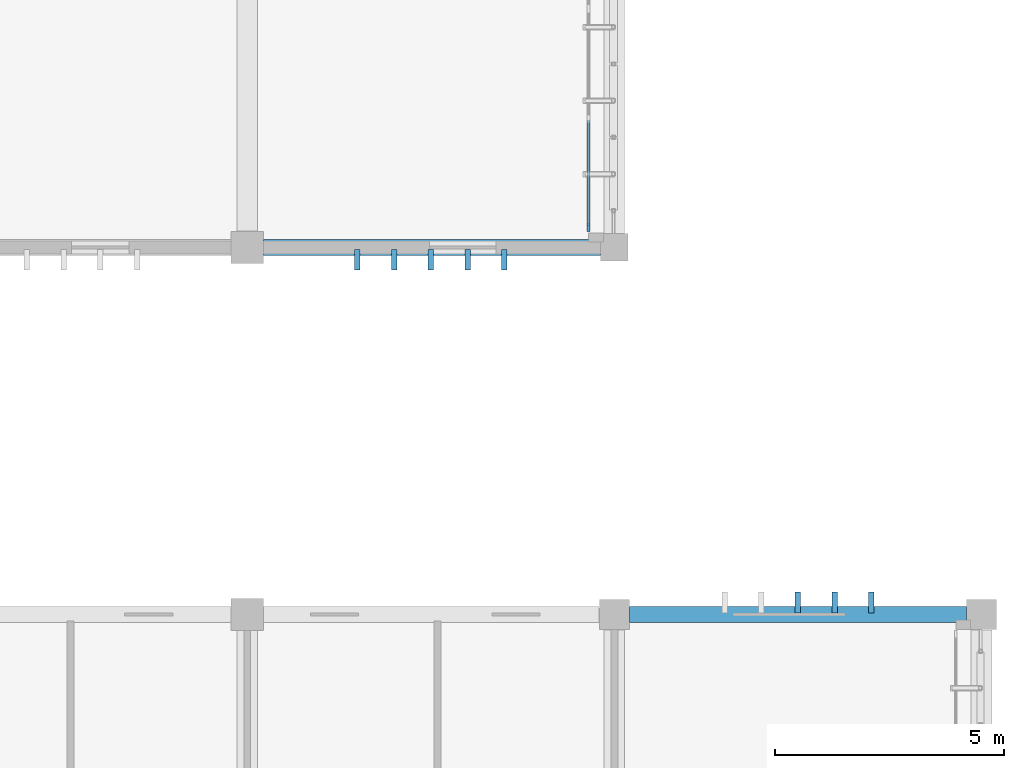
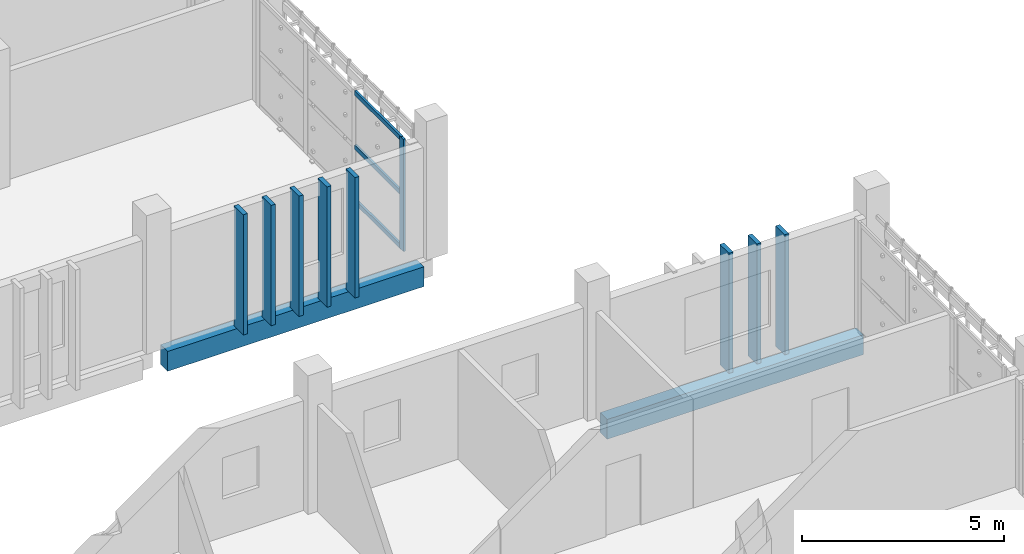
# One storey, part 66 of 137: 12 members, 2 beams, 1 element without a shape of its own.
"""IFC4 building model written with IfcOpenShell, lengths in metres."""

from ifc_helpers import new_model, si_unit, direction, frame, origin, origin_2d, place, context, subcontext, project, spatial, rectangle, extrude, material, layer, layer_set, material_profile, profile_set, type_object, element, aggregate, save


model = new_model("IFC4")

# Units and contexts
model_context = context("Model", 3, precision=1e-05, world=origin(), true_north=direction((0.0, 1.0)))
body_context = subcontext(model_context, "Body", "Model", "MODEL_VIEW")
ifc_project = project(units=[si_unit("LENGTHUNIT", "METRE"), si_unit("AREAUNIT", "SQUARE_METRE"), si_unit("VOLUMEUNIT", "CUBIC_METRE"), si_unit("PLANEANGLEUNIT", "RADIAN"), si_unit("MASSUNIT", "GRAM", prefix="KILO")], contexts=[model_context])

# Site, building, storey
site_placement = place(None, origin())
site = spatial("IfcSite", under=ifc_project, at=site_placement, CompositionType="ELEMENT")
building_placement = place(site_placement, origin())
building = spatial("IfcBuilding", under=site, at=building_placement, Name="Jelvoka-Kovrelna Polytechnic", CompositionType="ELEMENT")
storey_placement = place(building_placement, frame((0.0, 0.0, 9.60009765625)))
storey = spatial("IfcBuildingStorey", under=building, at=storey_placement, Name="L03", CompositionType="ELEMENT", Elevation=9.60009765625)

# Members
ifc_material_1 = material(Name="Precast concrete C40/50", Category="concrete")
ifc_material_profile_1 = material_profile(ifc_material_1, rectangle(XDim=0.1201171875, YDim=0.449951171875, at=origin_2d()), Name="PC 120x450")
ifc_profile_set_1 = profile_set([ifc_material_profile_1], Name="Precast concrete C40/50")
member_type_1 = type_object("IfcMemberType", Name="Louvre_Fin_120x450", PredefinedType="USERDEFINED", material=ifc_profile_set_1)
for number, where, z_axis, x_axis, name in (
    (1, (196.0, 48.264892578125, -0.27001953125), (0.0, 0.0, 1.0), (1.0, 0.0, 0.0), "L03 B2E north vertical solar louvre fin 0968"),
    (2, (196.800048828125, 48.264892578125, -0.27001953125), (0.0, 0.0, 1.0), (1.0, 0.0, 0.0), "L03 B2E north vertical solar louvre fin 0969"),
    (3, (197.60009765625, 48.264892578125, -0.27001953125), (0.0, 0.0, 1.0), (1.0, 0.0, 0.0), "L03 B2E north vertical solar louvre fin 0970"),
    (4, (186.39990234375, 55.735107421875, -0.27001953125), (0.0, 0.0, 1.0), (1.0, 0.0, 0.0), "L03 B3 south vertical solar louvre fin 1611"),
    (5, (187.199951171875, 55.735107421875, -0.27001953125), (0.0, 0.0, 1.0), (1.0, 0.0, 0.0), "L03 B3 south vertical solar louvre fin 1612"),
    (6, (188.0, 55.735107421875, -0.27001953125), (0.0, 0.0, 1.0), (1.0, 0.0, 0.0), "L03 B3 south vertical solar louvre fin 1613"),
    (7, (188.800048828125, 55.735107421875, -0.27001953125), (0.0, 0.0, 1.0), (1.0, 0.0, 0.0), "L03 B3 south vertical solar louvre fin 1614"),
    (8, (189.60009765625, 55.735107421875, -0.27001953125), (0.0, 0.0, 1.0), (1.0, 0.0, 0.0), "L03 B3 south vertical solar louvre fin 1615"),
):
    element("IfcMember", number, at=place(storey_placement, frame(where, z_axis=z_axis, x_axis=x_axis)), inside=storey, type_object=member_type_1, Name=name, ObjectType="SUNSHADE", PredefinedType="USERDEFINED", context=body_context, shape_type="SweptSolid", body=[
        extrude(rectangle(XDim=0.1201171875, YDim=0.449951171875, at=origin_2d()), origin(), (0.0, 0.0, 1.0), 3.64501953125),
    ])

# Curtain wall, member
ifc_material_2 = material(Name="Anodised aluminium 6063-T6", Category="aluminium")
ifc_layer = layer(ifc_material_2, 0.179931640625)
ifc_layer_set = layer_set([ifc_layer], Name="Anodised aluminium 6063-T6")
curtain_wall_type = type_object("IfcCurtainWallType", Name="CW_Recessed_B", PredefinedType="NOTDEFINED", material=ifc_layer_set)
curtain_wall_placement = place(storey_placement, origin())
curtain_wall = element("IfcCurtainWall", 9, at=curtain_wall_placement, inside=storey, type_object=curtain_wall_type, Name="L03 glazed curtain wall 085", PredefinedType="NOTDEFINED")
ifc_material_3 = material(Name="Anodised aluminium 6063-T6", Category="aluminium")
ifc_material_profile_2 = material_profile(ifc_material_3, rectangle(XDim=0.06494140625, YDim=0.179931640625, at=origin_2d()), Name="ALU 65x180")
ifc_profile_set_2 = profile_set([ifc_material_profile_2], Name="Anodised aluminium 6063-T6")
member_type_2 = type_object("IfcMemberType", Name="Mullion_M-02", PredefinedType="MULLION", material=ifc_profile_set_2)
member_1_placement = place(storey_placement, frame((191.43994140625, 56.4326171875, -0.02490234375), z_axis=(0.0, 0.0, 1.0), x_axis=(1.0, 0.0, 0.0)))
member_1 = element("IfcMember", 10, at=member_1_placement, type_object=member_type_2, Name="CW-02 mullion 4", PredefinedType="MULLION", context=body_context, shape_type="SweptSolid", body=[
    extrude(rectangle(XDim=0.06494140625, YDim=0.179931640625, at=origin_2d()), origin(), (0.0, 0.0, 1.0), 3.39990234375),
])

# Beams
ifc_material_4 = material(Name="Concrete C40/50", Category="concrete")
ifc_material_profile_3 = material_profile(ifc_material_4, rectangle(XDim=0.35009765625, YDim=0.60009765625, at=origin_2d()), Name="RC 350x600")
ifc_profile_set_3 = profile_set([ifc_material_profile_3], Name="Concrete C40/50")
beam_type = type_object("IfcBeamType", Name="Spandrel_RC_350x600", PredefinedType="SPANDREL", material=ifc_profile_set_3)
beam_1_placement = place(storey_placement, frame((192.330078125, 48.0, -0.565185546875), z_axis=(1.0, 0.0, 0.0), x_axis=(0.0, 1.0, 0.0)))
element("IfcBeam", 11, at=beam_1_placement, inside=storey, type_object=beam_type, Name="L03 beam 0983", PredefinedType="SPANDREL", context=body_context, shape_type="SweptSolid", body=[
    extrude(rectangle(XDim=0.35009765625, YDim=0.60009765625, at=origin_2d()), origin(), (0.0, 0.0, 1.0), 7.33984375),
])
beam_2_placement = place(storey_placement, frame((184.35498046875, 56.0, -0.565185546875), z_axis=(1.0, 0.0, 0.0), x_axis=(0.0, 1.0, 0.0)))
element("IfcBeam", 12, at=beam_2_placement, inside=storey, type_object=beam_type, Name="L03 beam 1049", PredefinedType="SPANDREL", context=body_context, shape_type="SweptSolid", body=[
    extrude(rectangle(XDim=0.35009765625, YDim=0.60009765625, at=origin_2d()), origin(), (0.0, 0.0, 1.0), 7.340087890625),
])

# Member
ifc_material_5 = material(Name="Anodised aluminium 6063-T6", Category="aluminium")
ifc_material_profile_4 = material_profile(ifc_material_5, rectangle(XDim=0.06494140625, YDim=0.135009765625, at=origin_2d()), Name="ALU 65x135")
ifc_profile_set_4 = profile_set([ifc_material_profile_4], Name="Anodised aluminium 6063-T6")
member_type_3 = type_object("IfcMemberType", Name="Transom_T-02", PredefinedType="USERDEFINED", material=ifc_profile_set_4)
member_2_placement = place(storey_placement, frame((191.43994140625, 58.767578125, 0.032470703125), z_axis=(0.0, -1.0, 0.0), x_axis=(1.0, 0.0, 0.0)))
member_2 = element("IfcMember", 13, at=member_2_placement, type_object=member_type_3, Name="CW-02 transom 3.1", ObjectType="TRANSOM", PredefinedType="USERDEFINED", context=body_context, shape_type="SweptSolid", body=[
    extrude(rectangle(XDim=0.06494140625, YDim=0.135009765625, at=origin_2d()), origin(), (0.0, 0.0, 1.0), 2.302490234375),
])

member_3_placement = place(storey_placement, frame((191.43994140625, 58.767578125, 1.6748046875), z_axis=(0.0, -1.0, 0.0), x_axis=(1.0, 0.0, 0.0)))
member_3 = element("IfcMember", 14, at=member_3_placement, type_object=member_type_3, Name="CW-02 transom 3.2", ObjectType="TRANSOM", PredefinedType="USERDEFINED", context=body_context, shape_type="SweptSolid", body=[
    extrude(rectangle(XDim=0.06494140625, YDim=0.135009765625, at=origin_2d()), origin(), (0.0, 0.0, 1.0), 2.302490234375),
])

member_4_placement = place(storey_placement, frame((191.43994140625, 58.767578125, 3.3173828125), z_axis=(0.0, -1.0, 0.0), x_axis=(1.0, 0.0, 0.0)))
member_4 = element("IfcMember", 15, at=member_4_placement, type_object=member_type_3, Name="CW-02 transom 3.3", ObjectType="TRANSOM", PredefinedType="USERDEFINED", context=body_context, shape_type="SweptSolid", body=[
    extrude(rectangle(XDim=0.06494140625, YDim=0.135009765625, at=origin_2d()), origin(), (0.0, 0.0, 1.0), 2.302490234375),
])

aggregate(curtain_wall, [member_1, member_2, member_3, member_4])

save(model, "model.ifc")
